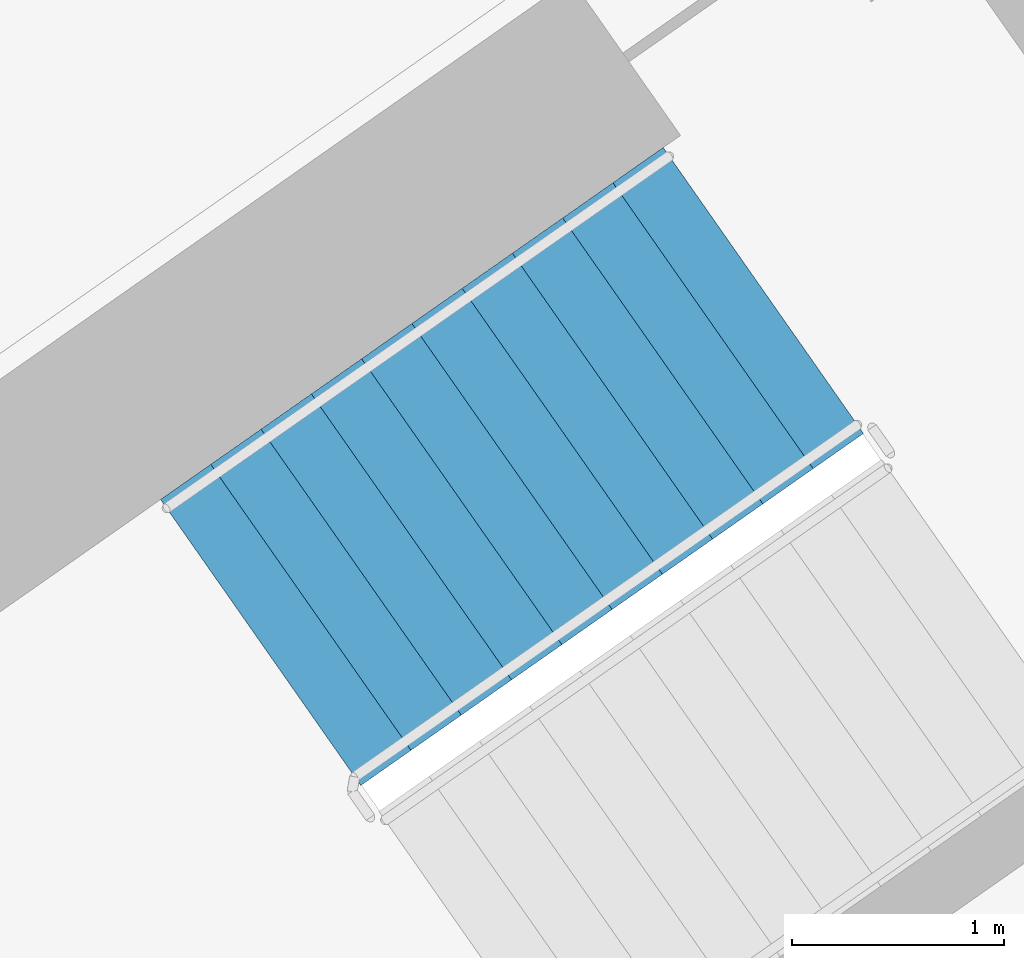
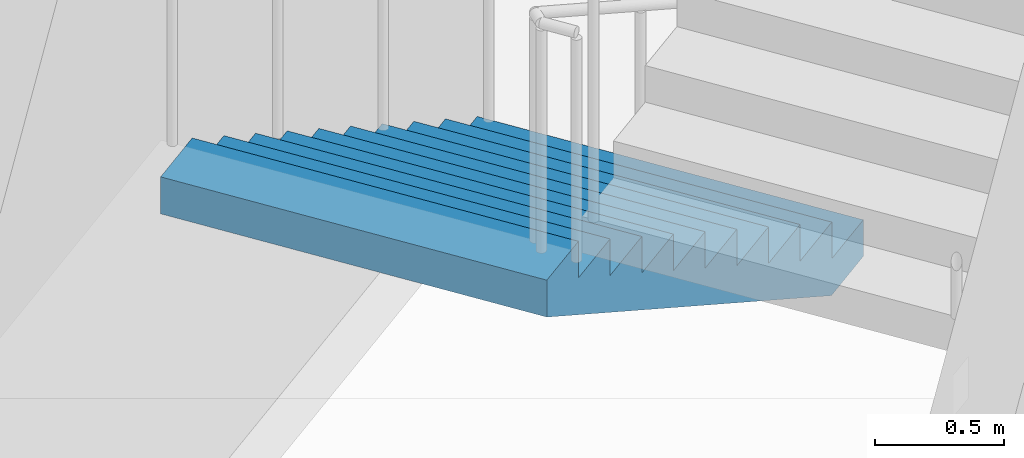
# One storey, part 15 of 30: 1 stair flight, 1 element without a shape of its own.
"""IFC4 building model written with IfcOpenShell, lengths in metres."""

from ifc_helpers import new_model, si_unit, direction, frame, origin, place, context, subcontext, project, spatial, faceted_brep, material, type_object, element, aggregate, save


model = new_model("IFC4")

# Units and contexts
model_context = context("Model", 3, precision=1e-05, world=origin(), true_north=direction((0.0, 1.0)))
body_context = subcontext(model_context, "Body", "Model", "MODEL_VIEW")
ifc_project = project(units=[si_unit("LENGTHUNIT", "METRE"), si_unit("AREAUNIT", "SQUARE_METRE"), si_unit("VOLUMEUNIT", "CUBIC_METRE"), si_unit("PLANEANGLEUNIT", "RADIAN"), si_unit("MASSUNIT", "GRAM", prefix="KILO")], contexts=[model_context])

# Site, building, storey
site_placement = place(None, origin())
site = spatial("IfcSite", under=ifc_project, at=site_placement, CompositionType="ELEMENT")
building_placement = place(site_placement, origin())
building = spatial("IfcBuilding", under=site, at=building_placement, Name="Qamariyya Broadcast Tower", CompositionType="ELEMENT")
storey_placement = place(building_placement, frame((0.0, 0.0, 110.10009765625)))
storey = spatial("IfcBuildingStorey", under=building, at=storey_placement, Name="L24", CompositionType="ELEMENT", Elevation=110.10009765625)

# Stair, stair flight
ifc_material = material(Name="Concrete C50/60", Category="concrete")
stair_type = type_object("IfcStairType", Name="Exit stair 22 risers of 173 mm", PredefinedType="HALF_TURN_STAIR", material=ifc_material)
stair_placement = place(storey_placement, origin())
stair = element("IfcStair", 1, at=stair_placement, inside=storey, type_object=stair_type, Name="L24 Stair E2", PredefinedType="HALF_TURN_STAIR")
stair_flight_type = type_object("IfcStairFlightType", Name="Exit stair flight 11 risers of 173 mm", PredefinedType="STRAIGHT", material=ifc_material)
stair_flight_placement = place(storey_placement, frame((40.558837890625, -47.685302734375, 0.0), z_axis=(0.0, 0.0, 1.0), x_axis=(-0.819152044289, -0.573576436351, 0.0)))
stair_flight = element("IfcStairFlight", 2, at=stair_flight_placement, type_object=stair_flight_type, Name="ST-E2 flight 1", NumberOfRisers=11, NumberOfTreads=10, PredefinedType="STRAIGHT", RiserHeight=0.172727273, TreadLength=0.29, context=body_context, shape_type="Brep", body=[
    faceted_brep([(0.0, 0.824951171875, 0.0), (0.0, 0.824951171875, 0.172607421875), (0.2900390625, 0.824951171875, 0.172607421875), (0.2900390625, 0.824951171875, 0.345458984375), (0.580078125, 0.824951171875, 0.345458984375), (0.580078125, 0.824951171875, 0.51806640625), (0.8701171875, 0.824951171875, 0.51806640625), (0.8701171875, 0.824951171875, 0.69091796875), (1.159912109375, 0.824951171875, 0.69091796875), (1.159912109375, 0.824951171875, 0.863525390625), (1.449951171875, 0.824951171875, 0.863525390625), (1.449951171875, 0.824951171875, 1.036376953125), (1.739990234375, 0.824951171875, 1.036376953125), (1.739990234375, 0.824951171875, 1.208984375), (2.030029296875, 0.824951171875, 1.208984375), (2.030029296875, 0.824951171875, 1.3818359375), (2.320068359375, 0.824951171875, 1.3818359375), (2.320068359375, 0.824951171875, 1.554443359375), (2.610107421875, 0.824951171875, 1.554443359375), (2.610107421875, 0.824951171875, 1.727294921875), (2.89990234375, 0.824951171875, 1.727294921875), (2.89990234375, 0.824951171875, 1.552734375), (0.29296875, 0.824951171875, 0.0), (0.29296875, -0.824951171875, 0.0), (2.89990234375, -0.824951171875, 1.552734375), (2.89990234375, -0.824951171875, 1.727294921875), (2.610107421875, -0.824951171875, 1.727294921875), (2.610107421875, -0.824951171875, 1.554443359375), (2.320068359375, -0.824951171875, 1.554443359375), (2.320068359375, -0.824951171875, 1.3818359375), (2.030029296875, -0.824951171875, 1.3818359375), (2.030029296875, -0.824951171875, 1.208984375), (1.739990234375, -0.824951171875, 1.208984375), (1.739990234375, -0.824951171875, 1.036376953125), (1.449951171875, -0.824951171875, 1.036376953125), (1.449951171875, -0.824951171875, 0.863525390625), (1.159912109375, -0.824951171875, 0.863525390625), (1.159912109375, -0.824951171875, 0.69091796875), (0.8701171875, -0.824951171875, 0.69091796875), (0.8701171875, -0.824951171875, 0.51806640625), (0.580078125, -0.824951171875, 0.51806640625), (0.580078125, -0.824951171875, 0.345458984375), (0.2900390625, -0.824951171875, 0.345458984375), (0.2900390625, -0.824951171875, 0.172607421875), (0.0, -0.824951171875, 0.172607421875), (0.0, -0.824951171875, 0.0), (0.0, 0.10009765625, 0.0), (0.0, 0.086669921875, 0.0), (0.0, 0.0732421875, 0.0), (0.0, 0.06005859375, 0.0), (0.0, 0.046630859375, 0.0), (0.0, 0.033447265625, 0.0), (0.0, 0.02001953125, 0.0), (0.0, 0.006591796875, 0.0), (0.0, -0.006591796875, 0.0), (0.0, -0.02001953125, 0.0), (0.0, -0.033447265625, 0.0), (0.0, -0.046630859375, 0.0), (0.0, -0.06005859375, 0.0), (0.0, -0.0732421875, 0.0), (0.0, -0.086669921875, 0.0), (0.0, -0.10009765625, 0.0), (0.0, -0.10009765625, 0.172607421875), (0.0, -0.086669921875, 0.172607421875), (0.0, -0.0732421875, 0.172607421875), (0.0, -0.06005859375, 0.172607421875), (0.0, -0.046630859375, 0.172607421875), (0.0, -0.033447265625, 0.172607421875), (0.0, -0.02001953125, 0.172607421875), (0.0, -0.006591796875, 0.172607421875), (0.0, 0.006591796875, 0.172607421875), (0.0, 0.02001953125, 0.172607421875), (0.0, 0.033447265625, 0.172607421875), (0.0, 0.046630859375, 0.172607421875), (0.0, 0.06005859375, 0.172607421875), (0.0, 0.0732421875, 0.172607421875), (0.0, 0.086669921875, 0.172607421875), (0.0, 0.10009765625, 0.172607421875), (0.2900390625, -0.10009765625, 0.172607421875), (0.2900390625, -0.086669921875, 0.172607421875), (0.2900390625, -0.0732421875, 0.172607421875), (0.2900390625, -0.06005859375, 0.172607421875), (0.2900390625, -0.046630859375, 0.172607421875), (0.2900390625, -0.033447265625, 0.172607421875), (0.2900390625, -0.02001953125, 0.172607421875), (0.2900390625, -0.006591796875, 0.172607421875), (0.2900390625, 0.006591796875, 0.172607421875), (0.2900390625, 0.02001953125, 0.172607421875), (0.2900390625, 0.033447265625, 0.172607421875), (0.2900390625, 0.046630859375, 0.172607421875), (0.2900390625, 0.06005859375, 0.172607421875), (0.2900390625, 0.0732421875, 0.172607421875), (0.2900390625, 0.086669921875, 0.172607421875), (0.2900390625, 0.10009765625, 0.172607421875), (0.2900390625, -0.10009765625, 0.345458984375), (0.2900390625, -0.086669921875, 0.345458984375), (0.2900390625, -0.0732421875, 0.345458984375), (0.2900390625, -0.06005859375, 0.345458984375), (0.2900390625, -0.046630859375, 0.345458984375), (0.2900390625, -0.033447265625, 0.345458984375), (0.2900390625, -0.02001953125, 0.345458984375), (0.2900390625, -0.006591796875, 0.345458984375), (0.2900390625, 0.006591796875, 0.345458984375), (0.2900390625, 0.02001953125, 0.345458984375), (0.2900390625, 0.033447265625, 0.345458984375), (0.2900390625, 0.046630859375, 0.345458984375), (0.2900390625, 0.06005859375, 0.345458984375), (0.2900390625, 0.0732421875, 0.345458984375), (0.2900390625, 0.086669921875, 0.345458984375), (0.2900390625, 0.10009765625, 0.345458984375), (0.580078125, -0.10009765625, 0.345458984375), (0.580078125, -0.086669921875, 0.345458984375), (0.580078125, -0.0732421875, 0.345458984375), (0.580078125, -0.06005859375, 0.345458984375), (0.580078125, -0.046630859375, 0.345458984375), (0.580078125, -0.033447265625, 0.345458984375), (0.580078125, -0.02001953125, 0.345458984375), (0.580078125, -0.006591796875, 0.345458984375), (0.580078125, 0.006591796875, 0.345458984375), (0.580078125, 0.02001953125, 0.345458984375), (0.580078125, 0.033447265625, 0.345458984375), (0.580078125, 0.046630859375, 0.345458984375), (0.580078125, 0.06005859375, 0.345458984375), (0.580078125, 0.0732421875, 0.345458984375), (0.580078125, 0.086669921875, 0.345458984375), (0.580078125, 0.10009765625, 0.345458984375), (0.580078125, -0.10009765625, 0.51806640625), (0.580078125, -0.086669921875, 0.51806640625), (0.580078125, -0.0732421875, 0.51806640625), (0.580078125, -0.06005859375, 0.51806640625), (0.580078125, -0.046630859375, 0.51806640625), (0.580078125, -0.033447265625, 0.51806640625), (0.580078125, -0.02001953125, 0.51806640625), (0.580078125, -0.006591796875, 0.51806640625), (0.580078125, 0.006591796875, 0.51806640625), (0.580078125, 0.02001953125, 0.51806640625), (0.580078125, 0.033447265625, 0.51806640625), (0.580078125, 0.046630859375, 0.51806640625), (0.580078125, 0.06005859375, 0.51806640625), (0.580078125, 0.0732421875, 0.51806640625), (0.580078125, 0.086669921875, 0.51806640625), (0.580078125, 0.10009765625, 0.51806640625), (0.8701171875, -0.10009765625, 0.51806640625), (0.8701171875, -0.086669921875, 0.51806640625), (0.8701171875, -0.0732421875, 0.51806640625), (0.8701171875, -0.06005859375, 0.51806640625), (0.8701171875, -0.046630859375, 0.51806640625), (0.8701171875, -0.033447265625, 0.51806640625), (0.8701171875, -0.02001953125, 0.51806640625), (0.8701171875, -0.006591796875, 0.51806640625), (0.8701171875, 0.006591796875, 0.51806640625), (0.8701171875, 0.02001953125, 0.51806640625), (0.8701171875, 0.033447265625, 0.51806640625), (0.8701171875, 0.046630859375, 0.51806640625), (0.8701171875, 0.06005859375, 0.51806640625), (0.8701171875, 0.0732421875, 0.51806640625), (0.8701171875, 0.086669921875, 0.51806640625), (0.8701171875, 0.10009765625, 0.51806640625), (0.8701171875, -0.10009765625, 0.69091796875), (0.8701171875, -0.086669921875, 0.69091796875), (0.8701171875, -0.0732421875, 0.69091796875), (0.8701171875, -0.06005859375, 0.69091796875), (0.8701171875, -0.046630859375, 0.69091796875), (0.8701171875, -0.033447265625, 0.69091796875), (0.8701171875, -0.02001953125, 0.69091796875), (0.8701171875, -0.006591796875, 0.69091796875), (0.8701171875, 0.006591796875, 0.69091796875), (0.8701171875, 0.02001953125, 0.69091796875), (0.8701171875, 0.033447265625, 0.69091796875), (0.8701171875, 0.046630859375, 0.69091796875), (0.8701171875, 0.06005859375, 0.69091796875), (0.8701171875, 0.0732421875, 0.69091796875), (0.8701171875, 0.086669921875, 0.69091796875), (0.8701171875, 0.10009765625, 0.69091796875), (1.159912109375, -0.10009765625, 0.69091796875), (1.159912109375, -0.086669921875, 0.69091796875), (1.159912109375, -0.0732421875, 0.69091796875), (1.159912109375, -0.06005859375, 0.69091796875), (1.159912109375, -0.046630859375, 0.69091796875), (1.159912109375, -0.033447265625, 0.69091796875), (1.159912109375, -0.02001953125, 0.69091796875), (1.159912109375, -0.006591796875, 0.69091796875), (1.159912109375, 0.006591796875, 0.69091796875), (1.159912109375, 0.02001953125, 0.69091796875), (1.159912109375, 0.033447265625, 0.69091796875), (1.159912109375, 0.046630859375, 0.69091796875), (1.159912109375, 0.06005859375, 0.69091796875), (1.159912109375, 0.0732421875, 0.69091796875), (1.159912109375, 0.086669921875, 0.69091796875), (1.159912109375, 0.10009765625, 0.69091796875), (1.159912109375, -0.10009765625, 0.863525390625), (1.159912109375, -0.086669921875, 0.863525390625), (1.159912109375, -0.0732421875, 0.863525390625), (1.159912109375, -0.06005859375, 0.863525390625), (1.159912109375, -0.046630859375, 0.863525390625), (1.159912109375, -0.033447265625, 0.863525390625), (1.159912109375, -0.02001953125, 0.863525390625), (1.159912109375, -0.006591796875, 0.863525390625), (1.159912109375, 0.006591796875, 0.863525390625), (1.159912109375, 0.02001953125, 0.863525390625), (1.159912109375, 0.033447265625, 0.863525390625), (1.159912109375, 0.046630859375, 0.863525390625), (1.159912109375, 0.06005859375, 0.863525390625), (1.159912109375, 0.0732421875, 0.863525390625), (1.159912109375, 0.086669921875, 0.863525390625), (1.159912109375, 0.10009765625, 0.863525390625), (1.449951171875, -0.10009765625, 0.863525390625), (1.449951171875, -0.086669921875, 0.863525390625), (1.449951171875, -0.0732421875, 0.863525390625), (1.449951171875, -0.06005859375, 0.863525390625), (1.449951171875, -0.046630859375, 0.863525390625), (1.449951171875, -0.033447265625, 0.863525390625), (1.449951171875, -0.02001953125, 0.863525390625), (1.449951171875, -0.006591796875, 0.863525390625), (1.449951171875, 0.006591796875, 0.863525390625), (1.449951171875, 0.02001953125, 0.863525390625), (1.449951171875, 0.033447265625, 0.863525390625), (1.449951171875, 0.046630859375, 0.863525390625), (1.449951171875, 0.06005859375, 0.863525390625), (1.449951171875, 0.0732421875, 0.863525390625), (1.449951171875, 0.086669921875, 0.863525390625), (1.449951171875, 0.10009765625, 0.863525390625), (1.449951171875, -0.10009765625, 1.036376953125), (1.449951171875, -0.086669921875, 1.036376953125), (1.449951171875, -0.0732421875, 1.036376953125), (1.449951171875, -0.06005859375, 1.036376953125), (1.449951171875, -0.046630859375, 1.036376953125), (1.449951171875, -0.033447265625, 1.036376953125), (1.449951171875, -0.02001953125, 1.036376953125), (1.449951171875, -0.006591796875, 1.036376953125), (1.449951171875, 0.006591796875, 1.036376953125), (1.449951171875, 0.02001953125, 1.036376953125), (1.449951171875, 0.033447265625, 1.036376953125), (1.449951171875, 0.046630859375, 1.036376953125), (1.449951171875, 0.06005859375, 1.036376953125), (1.449951171875, 0.0732421875, 1.036376953125), (1.449951171875, 0.086669921875, 1.036376953125), (1.449951171875, 0.10009765625, 1.036376953125), (1.739990234375, -0.10009765625, 1.036376953125), (1.739990234375, -0.086669921875, 1.036376953125), (1.739990234375, -0.0732421875, 1.036376953125), (1.739990234375, -0.06005859375, 1.036376953125), (1.739990234375, -0.046630859375, 1.036376953125), (1.739990234375, -0.033447265625, 1.036376953125), (1.739990234375, -0.02001953125, 1.036376953125), (1.739990234375, -0.006591796875, 1.036376953125), (1.739990234375, 0.006591796875, 1.036376953125), (1.739990234375, 0.02001953125, 1.036376953125), (1.739990234375, 0.033447265625, 1.036376953125), (1.739990234375, 0.046630859375, 1.036376953125), (1.739990234375, 0.06005859375, 1.036376953125), (1.739990234375, 0.0732421875, 1.036376953125), (1.739990234375, 0.086669921875, 1.036376953125), (1.739990234375, 0.10009765625, 1.036376953125), (1.739990234375, -0.10009765625, 1.208984375), (1.739990234375, -0.086669921875, 1.208984375), (1.739990234375, -0.0732421875, 1.208984375), (1.739990234375, -0.06005859375, 1.208984375), (1.739990234375, -0.046630859375, 1.208984375), (1.739990234375, -0.033447265625, 1.208984375), (1.739990234375, -0.02001953125, 1.208984375), (1.739990234375, -0.006591796875, 1.208984375), (1.739990234375, 0.006591796875, 1.208984375), (1.739990234375, 0.02001953125, 1.208984375), (1.739990234375, 0.033447265625, 1.208984375), (1.739990234375, 0.046630859375, 1.208984375), (1.739990234375, 0.06005859375, 1.208984375), (1.739990234375, 0.0732421875, 1.208984375), (1.739990234375, 0.086669921875, 1.208984375), (1.739990234375, 0.10009765625, 1.208984375), (2.030029296875, -0.10009765625, 1.208984375), (2.030029296875, -0.086669921875, 1.208984375), (2.030029296875, -0.0732421875, 1.208984375), (2.030029296875, -0.06005859375, 1.208984375), (2.030029296875, -0.046630859375, 1.208984375), (2.030029296875, -0.033447265625, 1.208984375), (2.030029296875, -0.02001953125, 1.208984375), (2.030029296875, -0.006591796875, 1.208984375), (2.030029296875, 0.006591796875, 1.208984375), (2.030029296875, 0.02001953125, 1.208984375), (2.030029296875, 0.033447265625, 1.208984375), (2.030029296875, 0.046630859375, 1.208984375), (2.030029296875, 0.06005859375, 1.208984375), (2.030029296875, 0.0732421875, 1.208984375), (2.030029296875, 0.086669921875, 1.208984375), (2.030029296875, 0.10009765625, 1.208984375), (2.030029296875, -0.10009765625, 1.3818359375), (2.030029296875, -0.086669921875, 1.3818359375), (2.030029296875, -0.0732421875, 1.3818359375), (2.030029296875, -0.06005859375, 1.3818359375), (2.030029296875, -0.046630859375, 1.3818359375), (2.030029296875, -0.033447265625, 1.3818359375), (2.030029296875, -0.02001953125, 1.3818359375), (2.030029296875, -0.006591796875, 1.3818359375), (2.030029296875, 0.006591796875, 1.3818359375), (2.030029296875, 0.02001953125, 1.3818359375), (2.030029296875, 0.033447265625, 1.3818359375), (2.030029296875, 0.046630859375, 1.3818359375), (2.030029296875, 0.06005859375, 1.3818359375), (2.030029296875, 0.0732421875, 1.3818359375), (2.030029296875, 0.086669921875, 1.3818359375), (2.030029296875, 0.10009765625, 1.3818359375), (2.320068359375, -0.10009765625, 1.3818359375), (2.320068359375, -0.086669921875, 1.3818359375), (2.320068359375, -0.0732421875, 1.3818359375), (2.320068359375, -0.06005859375, 1.3818359375), (2.320068359375, -0.046630859375, 1.3818359375), (2.320068359375, -0.033447265625, 1.3818359375), (2.320068359375, -0.02001953125, 1.3818359375), (2.320068359375, -0.006591796875, 1.3818359375), (2.320068359375, 0.006591796875, 1.3818359375), (2.320068359375, 0.02001953125, 1.3818359375), (2.320068359375, 0.033447265625, 1.3818359375), (2.320068359375, 0.046630859375, 1.3818359375), (2.320068359375, 0.06005859375, 1.3818359375), (2.320068359375, 0.0732421875, 1.3818359375), (2.320068359375, 0.086669921875, 1.3818359375), (2.320068359375, 0.10009765625, 1.3818359375), (2.320068359375, -0.10009765625, 1.554443359375), (2.320068359375, -0.086669921875, 1.554443359375), (2.320068359375, -0.0732421875, 1.554443359375), (2.320068359375, -0.06005859375, 1.554443359375), (2.320068359375, -0.046630859375, 1.554443359375), (2.320068359375, -0.033447265625, 1.554443359375), (2.320068359375, -0.02001953125, 1.554443359375), (2.320068359375, -0.006591796875, 1.554443359375), (2.320068359375, 0.006591796875, 1.554443359375), (2.320068359375, 0.02001953125, 1.554443359375), (2.320068359375, 0.033447265625, 1.554443359375), (2.320068359375, 0.046630859375, 1.554443359375), (2.320068359375, 0.06005859375, 1.554443359375), (2.320068359375, 0.0732421875, 1.554443359375), (2.320068359375, 0.086669921875, 1.554443359375), (2.320068359375, 0.10009765625, 1.554443359375), (2.610107421875, -0.10009765625, 1.554443359375), (2.610107421875, -0.086669921875, 1.554443359375), (2.610107421875, -0.0732421875, 1.554443359375), (2.610107421875, -0.06005859375, 1.554443359375), (2.610107421875, -0.046630859375, 1.554443359375), (2.610107421875, -0.033447265625, 1.554443359375), (2.610107421875, -0.02001953125, 1.554443359375), (2.610107421875, -0.006591796875, 1.554443359375), (2.610107421875, 0.006591796875, 1.554443359375), (2.610107421875, 0.02001953125, 1.554443359375), (2.610107421875, 0.033447265625, 1.554443359375), (2.610107421875, 0.046630859375, 1.554443359375), (2.610107421875, 0.06005859375, 1.554443359375), (2.610107421875, 0.0732421875, 1.554443359375), (2.610107421875, 0.086669921875, 1.554443359375), (2.610107421875, 0.10009765625, 1.554443359375), (2.610107421875, -0.10009765625, 1.727294921875), (2.610107421875, -0.086669921875, 1.727294921875), (2.610107421875, -0.0732421875, 1.727294921875), (2.610107421875, -0.06005859375, 1.727294921875), (2.610107421875, -0.046630859375, 1.727294921875), (2.610107421875, -0.033447265625, 1.727294921875), (2.610107421875, -0.02001953125, 1.727294921875), (2.610107421875, -0.006591796875, 1.727294921875), (2.610107421875, 0.006591796875, 1.727294921875), (2.610107421875, 0.02001953125, 1.727294921875), (2.610107421875, 0.033447265625, 1.727294921875), (2.610107421875, 0.046630859375, 1.727294921875), (2.610107421875, 0.06005859375, 1.727294921875), (2.610107421875, 0.0732421875, 1.727294921875), (2.610107421875, 0.086669921875, 1.727294921875), (2.610107421875, 0.10009765625, 1.727294921875), (2.89990234375, -0.10009765625, 1.727294921875), (2.89990234375, -0.086669921875, 1.727294921875), (2.89990234375, -0.0732421875, 1.727294921875), (2.89990234375, -0.06005859375, 1.727294921875), (2.89990234375, -0.046630859375, 1.727294921875), (2.89990234375, -0.033447265625, 1.727294921875), (2.89990234375, -0.02001953125, 1.727294921875), (2.89990234375, -0.006591796875, 1.727294921875), (2.89990234375, 0.006591796875, 1.727294921875), (2.89990234375, 0.02001953125, 1.727294921875), (2.89990234375, 0.033447265625, 1.727294921875), (2.89990234375, 0.046630859375, 1.727294921875), (2.89990234375, 0.06005859375, 1.727294921875), (2.89990234375, 0.0732421875, 1.727294921875), (2.89990234375, 0.086669921875, 1.727294921875), (2.89990234375, 0.10009765625, 1.727294921875), (2.89990234375, -0.10009765625, 1.552734375), (2.89990234375, -0.086669921875, 1.552734375), (2.89990234375, -0.0732421875, 1.552734375), (2.89990234375, -0.06005859375, 1.552734375), (2.89990234375, -0.046630859375, 1.552734375), (2.89990234375, -0.033447265625, 1.552734375), (2.89990234375, -0.02001953125, 1.552734375), (2.89990234375, -0.006591796875, 1.552734375), (2.89990234375, 0.006591796875, 1.552734375), (2.89990234375, 0.02001953125, 1.552734375), (2.89990234375, 0.033447265625, 1.552734375), (2.89990234375, 0.046630859375, 1.552734375), (2.89990234375, 0.06005859375, 1.552734375), (2.89990234375, 0.0732421875, 1.552734375), (2.89990234375, 0.086669921875, 1.552734375), (2.89990234375, 0.10009765625, 1.552734375), (0.29296875, -0.10009765625, 0.0), (0.29296875, -0.086669921875, 0.0), (0.29296875, -0.0732421875, 0.0), (0.29296875, -0.06005859375, 0.0), (0.29296875, -0.046630859375, 0.0), (0.29296875, -0.033447265625, 0.0), (0.29296875, -0.02001953125, 0.0), (0.29296875, -0.006591796875, 0.0), (0.29296875, 0.006591796875, 0.0), (0.29296875, 0.02001953125, 0.0), (0.29296875, 0.033447265625, 0.0), (0.29296875, 0.046630859375, 0.0), (0.29296875, 0.06005859375, 0.0), (0.29296875, 0.0732421875, 0.0), (0.29296875, 0.086669921875, 0.0), (0.29296875, 0.10009765625, 0.0)], [[[0, 1, 2, 3, 4, 5, 6, 7, 8, 9, 10, 11, 12, 13, 14, 15, 16, 17, 18, 19, 20, 21, 22]], [[23, 24, 25, 26, 27, 28, 29, 30, 31, 32, 33, 34, 35, 36, 37, 38, 39, 40, 41, 42, 43, 44, 45]], [[0, 46, 47, 48, 49, 50, 51, 52, 53, 54, 55, 56, 57, 58, 59, 60, 61, 45, 44, 62, 63, 64, 65, 66, 67, 68, 69, 70, 71, 72, 73, 74, 75, 76, 77, 1]], [[1, 77, 76, 75, 74, 73, 72, 71, 70, 69, 68, 67, 66, 65, 64, 63, 62, 44, 43, 78, 79, 80, 81, 82, 83, 84, 85, 86, 87, 88, 89, 90, 91, 92, 93, 2]], [[2, 93, 92, 91, 90, 89, 88, 87, 86, 85, 84, 83, 82, 81, 80, 79, 78, 43, 42, 94, 95, 96, 97, 98, 99, 100, 101, 102, 103, 104, 105, 106, 107, 108, 109, 3]], [[3, 109, 108, 107, 106, 105, 104, 103, 102, 101, 100, 99, 98, 97, 96, 95, 94, 42, 41, 110, 111, 112, 113, 114, 115, 116, 117, 118, 119, 120, 121, 122, 123, 124, 125, 4]], [[4, 125, 124, 123, 122, 121, 120, 119, 118, 117, 116, 115, 114, 113, 112, 111, 110, 41, 40, 126, 127, 128, 129, 130, 131, 132, 133, 134, 135, 136, 137, 138, 139, 140, 141, 5]], [[5, 141, 140, 139, 138, 137, 136, 135, 134, 133, 132, 131, 130, 129, 128, 127, 126, 40, 39, 142, 143, 144, 145, 146, 147, 148, 149, 150, 151, 152, 153, 154, 155, 156, 157, 6]], [[6, 157, 156, 155, 154, 153, 152, 151, 150, 149, 148, 147, 146, 145, 144, 143, 142, 39, 38, 158, 159, 160, 161, 162, 163, 164, 165, 166, 167, 168, 169, 170, 171, 172, 173, 7]], [[7, 173, 172, 171, 170, 169, 168, 167, 166, 165, 164, 163, 162, 161, 160, 159, 158, 38, 37, 174, 175, 176, 177, 178, 179, 180, 181, 182, 183, 184, 185, 186, 187, 188, 189, 8]], [[8, 189, 188, 187, 186, 185, 184, 183, 182, 181, 180, 179, 178, 177, 176, 175, 174, 37, 36, 190, 191, 192, 193, 194, 195, 196, 197, 198, 199, 200, 201, 202, 203, 204, 205, 9]], [[9, 205, 204, 203, 202, 201, 200, 199, 198, 197, 196, 195, 194, 193, 192, 191, 190, 36, 35, 206, 207, 208, 209, 210, 211, 212, 213, 214, 215, 216, 217, 218, 219, 220, 221, 10]], [[10, 221, 220, 219, 218, 217, 216, 215, 214, 213, 212, 211, 210, 209, 208, 207, 206, 35, 34, 222, 223, 224, 225, 226, 227, 228, 229, 230, 231, 232, 233, 234, 235, 236, 237, 11]], [[11, 237, 236, 235, 234, 233, 232, 231, 230, 229, 228, 227, 226, 225, 224, 223, 222, 34, 33, 238, 239, 240, 241, 242, 243, 244, 245, 246, 247, 248, 249, 250, 251, 252, 253, 12]], [[12, 253, 252, 251, 250, 249, 248, 247, 246, 245, 244, 243, 242, 241, 240, 239, 238, 33, 32, 254, 255, 256, 257, 258, 259, 260, 261, 262, 263, 264, 265, 266, 267, 268, 269, 13]], [[13, 269, 268, 267, 266, 265, 264, 263, 262, 261, 260, 259, 258, 257, 256, 255, 254, 32, 31, 270, 271, 272, 273, 274, 275, 276, 277, 278, 279, 280, 281, 282, 283, 284, 285, 14]], [[14, 285, 284, 283, 282, 281, 280, 279, 278, 277, 276, 275, 274, 273, 272, 271, 270, 31, 30, 286, 287, 288, 289, 290, 291, 292, 293, 294, 295, 296, 297, 298, 299, 300, 301, 15]], [[15, 301, 300, 299, 298, 297, 296, 295, 294, 293, 292, 291, 290, 289, 288, 287, 286, 30, 29, 302, 303, 304, 305, 306, 307, 308, 309, 310, 311, 312, 313, 314, 315, 316, 317, 16]], [[16, 317, 316, 315, 314, 313, 312, 311, 310, 309, 308, 307, 306, 305, 304, 303, 302, 29, 28, 318, 319, 320, 321, 322, 323, 324, 325, 326, 327, 328, 329, 330, 331, 332, 333, 17]], [[17, 333, 332, 331, 330, 329, 328, 327, 326, 325, 324, 323, 322, 321, 320, 319, 318, 28, 27, 334, 335, 336, 337, 338, 339, 340, 341, 342, 343, 344, 345, 346, 347, 348, 349, 18]], [[18, 349, 348, 347, 346, 345, 344, 343, 342, 341, 340, 339, 338, 337, 336, 335, 334, 27, 26, 350, 351, 352, 353, 354, 355, 356, 357, 358, 359, 360, 361, 362, 363, 364, 365, 19]], [[19, 365, 364, 363, 362, 361, 360, 359, 358, 357, 356, 355, 354, 353, 352, 351, 350, 26, 25, 366, 367, 368, 369, 370, 371, 372, 373, 374, 375, 376, 377, 378, 379, 380, 381, 20]], [[20, 381, 380, 379, 378, 377, 376, 375, 374, 373, 372, 371, 370, 369, 368, 367, 366, 25, 24, 382, 383, 384, 385, 386, 387, 388, 389, 390, 391, 392, 393, 394, 395, 396, 397, 21]], [[21, 397, 396, 395, 394, 393, 392, 391, 390, 389, 388, 387, 386, 385, 384, 383, 382, 24, 23, 398, 399, 400, 401, 402, 403, 404, 405, 406, 407, 408, 409, 410, 411, 412, 413, 22]], [[22, 413, 412, 411, 410, 409, 408, 407, 406, 405, 404, 403, 402, 401, 400, 399, 398, 23, 45, 61, 60, 59, 58, 57, 56, 55, 54, 53, 52, 51, 50, 49, 48, 47, 46, 0]]]),
])
aggregate(stair, [stair_flight])

save(model, "model.ifc")
